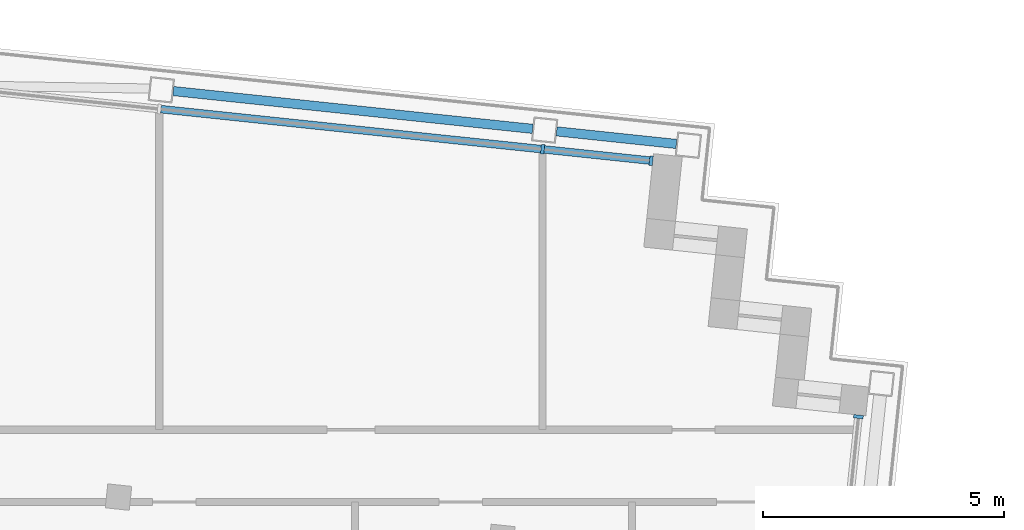
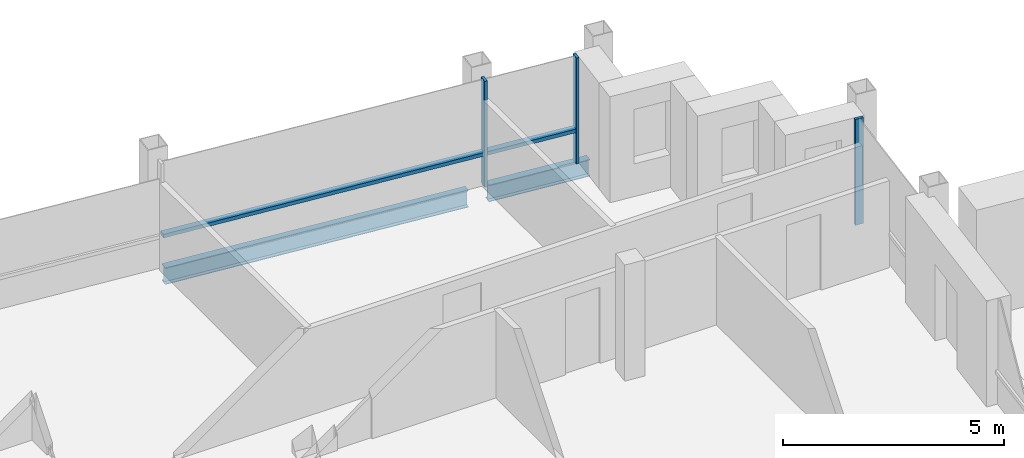
# One storey, part 6 of 16: 5 members, 2 beams, 2 elements without a shape of their own.
"""IFC4 building model written with IfcOpenShell, lengths in metres."""

from ifc_helpers import new_model, si_unit, direction, frame, origin, origin_2d, place, context, subcontext, project, spatial, rectangle, i_section, extrude, material, material_profile, profile_set, type_object, element, aggregate, save


model = new_model("IFC4")

# Units and contexts
model_context = context("Model", 3, precision=1e-05, world=origin(), true_north=direction((0.0, 1.0)))
body_context = subcontext(model_context, "Body", "Model", "MODEL_VIEW")
ifc_project = project(units=[si_unit("LENGTHUNIT", "METRE"), si_unit("AREAUNIT", "SQUARE_METRE"), si_unit("VOLUMEUNIT", "CUBIC_METRE"), si_unit("PLANEANGLEUNIT", "RADIAN"), si_unit("MASSUNIT", "GRAM", prefix="KILO")], contexts=[model_context])

# Site, building, storey
site_placement = place(None, origin())
site = spatial("IfcSite", under=ifc_project, at=site_placement, CompositionType="ELEMENT")
building_placement = place(site_placement, origin())
building = spatial("IfcBuilding", under=site, at=building_placement, Name="Vidyagriha Tower", CompositionType="ELEMENT")
storey_placement = place(building_placement, frame((0.0, 0.0, 256.300048828125)))
storey = spatial("IfcBuildingStorey", under=building, at=storey_placement, Name="L66", CompositionType="ELEMENT", Elevation=256.300048828125)

# Beams
ifc_material_1 = material(Name="Steel ASTM A992 Grade 50", Category="steel")
ifc_material_profile_1 = material_profile(ifc_material_1, i_section(OverallWidth=0.19189453125, OverallDepth=0.46240234375, WebThickness=0.010498046875, FlangeThickness=0.017578125, at=origin_2d()), Name="W18X60")
ifc_profile_set_1 = profile_set([ifc_material_profile_1], Name="Steel ASTM A992 Grade 50")
beam_type = type_object("IfcBeamType", Name="Edge beam W18X60", PredefinedType="SPANDREL", material=ifc_profile_set_1)
beam_1_placement = place(storey_placement, frame((18.130615234375, 19.472412109375, -0.51123046875), z_axis=(0.994519000353, -0.104556003834, 0.0), x_axis=(0.104556003834, 0.994519000353, 0.0)))
element("IfcBeam", 1, at=beam_1_placement, inside=storey, type_object=beam_type, Name="st-beam-L66-NE19", PredefinedType="SPANDREL", context=body_context, shape_type="SweptSolid", body=[
    extrude(i_section(OverallWidth=0.19189453125, OverallDepth=0.46240234375, WebThickness=0.010498046875, FlangeThickness=0.017578125, at=origin_2d()), origin(), (0.0, 0.0, 1.0), 7.5),
])
beam_2_placement = place(storey_placement, frame((26.0869140625, 18.635986328125, -0.51123046875), z_axis=(0.994524701544, -0.104501760842, 0.0), x_axis=(0.104501760842, 0.994524701544, 0.0)))
element("IfcBeam", 2, at=beam_2_placement, inside=storey, type_object=beam_type, Name="st-beam-L66-NE20", PredefinedType="SPANDREL", context=body_context, shape_type="SweptSolid", body=[
    extrude(i_section(OverallWidth=0.19189453125, OverallDepth=0.46240234375, WebThickness=0.010498046875, FlangeThickness=0.017578125, at=origin_2d()), origin(), (0.0, 0.0, 1.0), 2.499755859375),
])

# Curtain wall, members
ifc_material_2 = material(Name="Aluminium and glass curtain wall", Category="aluminium")
curtain_wall_type = type_object("IfcCurtainWallType", Name="Dwelling skin unitised curtain wall", PredefinedType="USERDEFINED", material=ifc_material_2)
curtain_wall_1_placement = place(storey_placement, origin())
curtain_wall_1 = element("IfcCurtainWall", 3, at=curtain_wall_1_placement, inside=storey, type_object=curtain_wall_type, Name="CW1 dwelling skin", ObjectType="UNITISED", PredefinedType="USERDEFINED")
ifc_material_3 = material(Name="Aluminium black anodised", Category="aluminium")
ifc_material_profile_2 = material_profile(ifc_material_3, rectangle(XDim=0.199951171875, YDim=0.070068359375, at=origin_2d()), Name="Mullion 70x200 black aluminium")
ifc_profile_set_2 = profile_set([ifc_material_profile_2], Name="Aluminium black anodised")
member_type_1 = type_object("IfcMemberType", Name="Mullion 70x200 black aluminium", PredefinedType="MULLION", material=ifc_profile_set_2)
member_1_placement = place(storey_placement, frame((28.049072265625, 18.027587890625, 0.0), z_axis=(0.0, 0.0, 1.0), x_axis=(-0.104528852722, -0.994521854435, 0.0)))
member_1 = element("IfcMember", 4, at=member_1_placement, type_object=member_type_1, Name="CW1 mullion 1", PredefinedType="MULLION", context=body_context, shape_type="SweptSolid", body=[
    extrude(rectangle(XDim=0.199951171875, YDim=0.070068359375, at=origin_2d()), origin(), (0.0, 0.0, 1.0), 2.919921875),
])
member_2_placement = place(storey_placement, frame((25.79638671875, 18.264404296875, 0.0), z_axis=(0.0, 0.0, 1.0), x_axis=(-0.104528852722, -0.994521854435, 0.0)))
member_2 = element("IfcMember", 5, at=member_2_placement, type_object=member_type_1, Name="CW1 mullion 2", PredefinedType="MULLION", context=body_context, shape_type="SweptSolid", body=[
    extrude(rectangle(XDim=0.199951171875, YDim=0.070068359375, at=origin_2d()), origin(), (0.0, 0.0, 1.0), 2.919921875),
])

# Curtain wall, member
curtain_wall_2_placement = place(storey_placement, origin())
curtain_wall_2 = element("IfcCurtainWall", 6, at=curtain_wall_2_placement, inside=storey, type_object=curtain_wall_type, Name="CW1 dwelling skin", ObjectType="UNITISED", PredefinedType="USERDEFINED")
member_3_placement = place(storey_placement, frame((32.35205078125, 12.713623046875, 0.0), z_axis=(0.0, 0.0, 1.0), x_axis=(-0.994523205451, 0.10451599791, 0.0)))
member_3 = element("IfcMember", 7, at=member_3_placement, type_object=member_type_1, Name="CW1 mullion 2", PredefinedType="MULLION", context=body_context, shape_type="SweptSolid", body=[
    extrude(rectangle(XDim=0.199951171875, YDim=0.070068359375, at=origin_2d()), origin(), (0.0, 0.0, 1.0), 2.919921875),
])
aggregate(curtain_wall_2, [member_3])

# Member
ifc_material_4 = material(Name="Aluminium black anodised", Category="aluminium")
ifc_material_profile_3 = material_profile(ifc_material_4, rectangle(XDim=0.159912109375, YDim=0.10009765625, at=origin_2d()), Name="Transom 100x160 black aluminium")
ifc_profile_set_3 = profile_set([ifc_material_profile_3], Name="Aluminium black anodised")
member_type_2 = type_object("IfcMemberType", Name="Transom 100x160 black aluminium", PredefinedType="USERDEFINED", material=ifc_profile_set_3)
member_4_placement = place(storey_placement, frame((28.01416015625, 18.03125, 0.89990234375), z_axis=(-0.994518853465, 0.104557400991, 0.0), x_axis=(-0.104557400991, -0.994518853465, 0.0)))
member_4 = element("IfcMember", 8, at=member_4_placement, type_object=member_type_2, Name="CW1 transom 1.1", ObjectType="TRANSOM", PredefinedType="USERDEFINED", context=body_context, shape_type="SweptSolid", body=[
    extrude(rectangle(XDim=0.159912109375, YDim=0.10009765625, at=origin_2d()), origin(), (0.0, 0.0, 1.0), 2.19482421875),
])

member_5_placement = place(storey_placement, frame((25.761474609375, 18.26806640625, 0.89990234375), z_axis=(-0.994522478205, 0.104522917794, 0.0), x_axis=(-0.104522917794, -0.994522478205, 0.0)))
member_5 = element("IfcMember", 9, at=member_5_placement, type_object=member_type_2, Name="CW1 transom 2.1", ObjectType="TRANSOM", PredefinedType="USERDEFINED", context=body_context, shape_type="SweptSolid", body=[
    extrude(rectangle(XDim=0.159912109375, YDim=0.10009765625, at=origin_2d()), origin(), (0.0, 0.0, 1.0), 7.929931640625),
])

aggregate(curtain_wall_1, [member_1, member_2, member_4, member_5])

save(model, "model.ifc")
